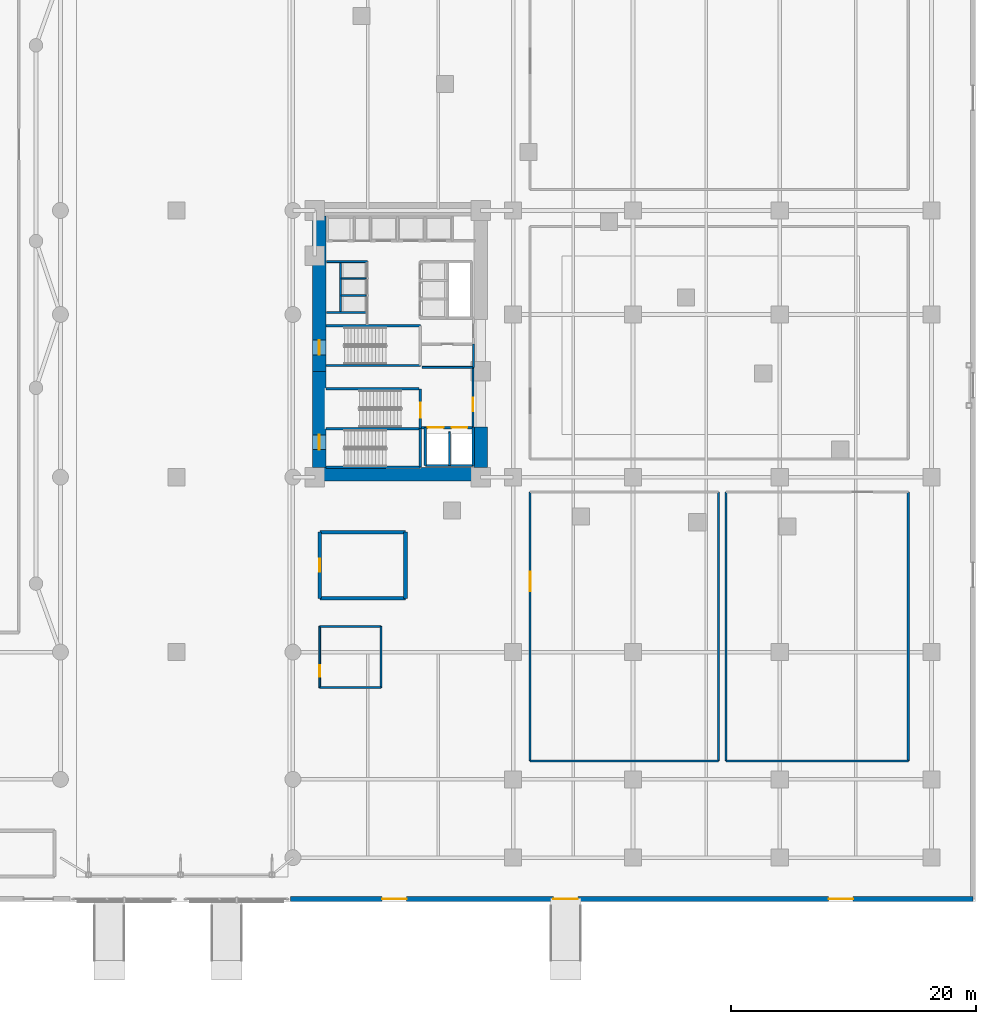
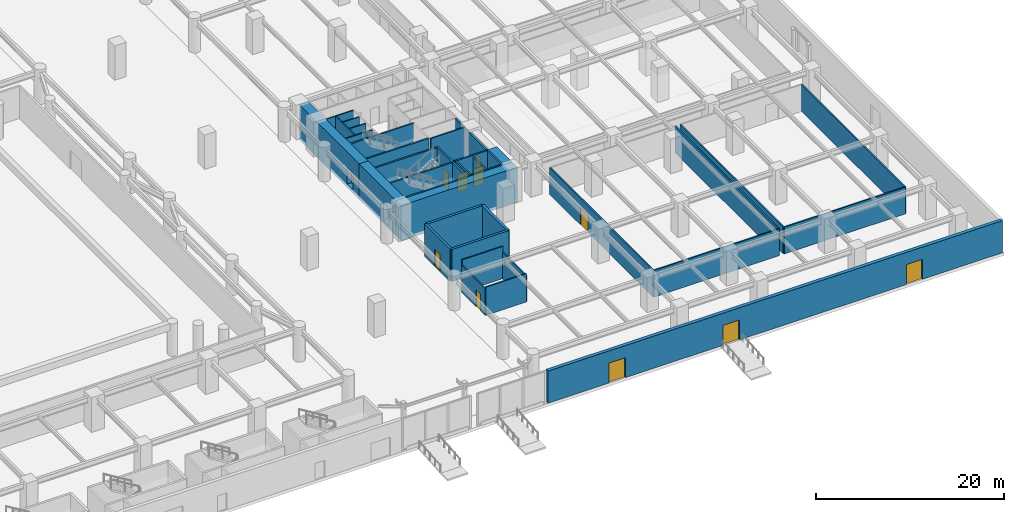
# One storey, part 22 of 42: 39 walls, 12 doors, 12 openings.
"""IFC4 building model written with IfcOpenShell, lengths in metres."""

from ifc_helpers import new_model, si_unit, direction, frame, frame_2d, origin, place, context, subcontext, project, spatial, rectangle, extrude, material, layer, layer_set, type_object, element, fill, save


model = new_model("IFC4")

# Units and contexts
model_context = context("Model", 3, precision=1e-05, world=origin(), true_north=direction((0.0, 1.0)))
body_context = subcontext(model_context, "Body", "Model", "MODEL_VIEW")
ifc_project = project(units=[si_unit("LENGTHUNIT", "METRE"), si_unit("AREAUNIT", "SQUARE_METRE"), si_unit("VOLUMEUNIT", "CUBIC_METRE"), si_unit("PLANEANGLEUNIT", "RADIAN"), si_unit("MASSUNIT", "GRAM", prefix="KILO")], contexts=[model_context])

# Site, building, storey
site_placement = place(None, origin())
site = spatial("IfcSite", under=ifc_project, at=site_placement, CompositionType="ELEMENT")
building_placement = place(site_placement, origin())
building = spatial("IfcBuilding", under=site, at=building_placement, Name="Narakoshi Arena Tower", CompositionType="ELEMENT")
storey_placement = place(building_placement, origin())
storey = spatial("IfcBuildingStorey", under=building, at=storey_placement, Name="L00", CompositionType="ELEMENT", Elevation=0.0)

# Wall, opening, door
ifc_material_1 = material(Name="Concrete C60/75", Category="concrete")
ifc_layer_1 = layer(ifc_material_1, 1.10009765625)
ifc_layer_set_1 = layer_set([ifc_layer_1], Name="Concrete C60/75")
wall_type_1 = type_object("IfcWallType", Name="WL-CORE-1100", PredefinedType="SHEAR", material=ifc_layer_set_1)
wall_1_placement = place(storey_placement, frame((72.35009765625, 35.5, -0.39990234375), z_axis=(0.0, 0.0, 1.0), x_axis=(0.0, 1.0, 0.0)))
wall_1 = element("IfcWall", 1, at=wall_1_placement, inside=storey, type_object=wall_type_1, Name="L00 Central Core Shear Wall CW-APX-W", PredefinedType="SHEAR", context=body_context, shape_type="SweptSolid", body=[
    extrude(rectangle(XDim=7.85009765625, YDim=1.10009765625, at=frame_2d((3.925048828125, 0.0))), origin(), (0.0, 0.0, 1.0), 4.579833984375),
])
opening_1_placement = place(wall_1_placement, frame((1.449951171875, 0.0, 0.39990234375)))
opening_1 = element("IfcOpeningElement", 2, at=opening_1_placement, cuts=wall_1, Name="Opening D-03", PredefinedType="OPENING", context=body_context, shape_type="SweptSolid", body=[
    extrude(rectangle(XDim=1.199951171875, YDim=2.199951171875, at=frame_2d((0.60009765625, 1.10009765625))), frame((0.0, 0.56005859375, 0.0), z_axis=(0.0, -1.0, 0.0), x_axis=(1.0, 0.0, 0.0)), (0.0, 0.0, 1.0), 1.1201171875),
])
ifc_material_2 = material(Name="Painted galvanized steel", Category="steel")
door_type_1 = type_object("IfcDoorType", Name="DR-STR-1200", OperationType="NOTDEFINED", PredefinedType="USERDEFINED", material=ifc_material_2)
door_1_placement = place(opening_1_placement, origin())
door_1 = element("IfcDoor", 3, at=door_1_placement, inside=storey, type_object=door_type_1, Name="DR-L00-028", ObjectType="EXITDOOR", OperationType="SINGLE_SWING_LEFT", OverallHeight=2.199951171875, OverallWidth=1.199951171875, PredefinedType="USERDEFINED", context=body_context, shape_type="SweptSolid", body=[
    extrude(rectangle(XDim=1.199951171875, YDim=2.199951171875, at=frame_2d((0.60009765625, 1.10009765625))), frame((0.0, 0.02490234375, 0.0), z_axis=(0.0, -1.0, 0.0), x_axis=(1.0, 0.0, 0.0)), (0.0, 0.0, 1.0), 0.050048828125),
])
fill(opening_1, door_1)

# Walls
wall_2_placement = place(storey_placement, frame((71.800048828125, 34.949951171875, -0.39990234375), z_axis=(0.0, 0.0, 1.0), x_axis=(1.0, 0.0, 0.0)))
element("IfcWall", 4, at=wall_2_placement, inside=storey, type_object=wall_type_1, Name="L00 Central Core Shear Wall CW-APX-S", PredefinedType="SHEAR", context=body_context, shape_type="SweptSolid", body=[
    extrude(rectangle(XDim=14.300048828125, YDim=1.10009765625, at=frame_2d((7.14990234375, 0.0))), origin(), (0.0, 0.0, 1.0), 4.579833984375),
])
wall_3_placement = place(storey_placement, frame((85.550048828125, 35.5, -0.39990234375), z_axis=(0.0, 0.0, 1.0), x_axis=(0.0, 1.0, 0.0)))
element("IfcWall", 5, at=wall_3_placement, inside=storey, type_object=wall_type_1, Name="L00 Central Core Shear Wall CW-APX-E", PredefinedType="SHEAR", context=body_context, shape_type="SweptSolid", body=[
    extrude(rectangle(XDim=3.300048828125, YDim=1.10009765625, at=frame_2d((1.64990234375, 0.0))), origin(), (0.0, 0.0, 1.0), 4.579833984375),
])

# Wall, opening, door
wall_4_placement = place(storey_placement, frame((72.35009765625, 43.35009765625, -0.39990234375), z_axis=(0.0, 0.0, 1.0), x_axis=(0.0, 1.0, 0.0)))
wall_4 = element("IfcWall", 6, at=wall_4_placement, inside=storey, type_object=wall_type_1, Name="L00 Main Core Shear Wall CW-MN-W", PredefinedType="SHEAR", context=body_context, shape_type="SweptSolid", body=[
    extrude(rectangle(XDim=12.699951171875, YDim=1.10009765625, at=frame_2d((6.35009765625, 0.0))), origin(), (0.0, 0.0, 1.0), 4.579833984375),
])
opening_2_placement = place(wall_4_placement, frame((1.35009765625, 0.0, 0.39990234375)))
opening_2 = element("IfcOpeningElement", 7, at=opening_2_placement, cuts=wall_4, Name="Opening D-03", PredefinedType="OPENING", context=body_context, shape_type="SweptSolid", body=[
    extrude(rectangle(XDim=1.199951171875, YDim=2.199951171875, at=frame_2d((0.60009765625, 1.10009765625))), frame((0.0, 0.56005859375, 0.0), z_axis=(0.0, -1.0, 0.0), x_axis=(1.0, 0.0, 0.0)), (0.0, 0.0, 1.0), 1.1201171875),
])
door_2_placement = place(opening_2_placement, origin())
door_2 = element("IfcDoor", 8, at=door_2_placement, inside=storey, type_object=door_type_1, Name="DR-L00-033", ObjectType="EXITDOOR", OperationType="SINGLE_SWING_LEFT", OverallHeight=2.199951171875, OverallWidth=1.199951171875, PredefinedType="USERDEFINED", context=body_context, shape_type="SweptSolid", body=[
    extrude(rectangle(XDim=1.199951171875, YDim=2.199951171875, at=frame_2d((0.60009765625, 1.10009765625))), frame((0.0, 0.02490234375, 0.0), z_axis=(0.0, -1.0, 0.0), x_axis=(1.0, 0.0, 0.0)), (0.0, 0.0, 1.0), 0.050048828125),
])
fill(opening_2, door_2)

# Walls
ifc_material_3 = material(Name="Gypsum plasterboard fire-rated partition")
ifc_layer_2 = layer(ifc_material_3, 0.1650390625)
ifc_layer_set_2 = layer_set([ifc_layer_2], Name="Gypsum plasterboard fire-rated partition")
wall_type_2 = type_object("IfcWallType", Name="WL-CORR-165", PredefinedType="PARTITIONING", material=ifc_layer_set_2)
wall_5_placement = place(storey_placement, frame((89.60009765625, 11.5, 0.0), z_axis=(0.0, 0.0, 1.0), x_axis=(1.0, 0.0, 0.0)))
element("IfcWall", 9, at=wall_5_placement, inside=storey, type_object=wall_type_2, Name="L00 Concourse Cafe and Bakery Wall S", PredefinedType="PARTITIONING", context=body_context, shape_type="SweptSolid", body=[
    extrude(rectangle(XDim=15.39990234375, YDim=0.1650390625, at=frame_2d((7.699951171875, 0.0))), origin(), (0.0, 0.0, 1.0), 3.465087890625),
])
wall_6_placement = place(storey_placement, frame((105.0, 11.5, 0.0), z_axis=(0.0, 0.0, 1.0), x_axis=(0.0, 1.0, 0.0)))
element("IfcWall", 10, at=wall_6_placement, inside=storey, type_object=wall_type_2, Name="L00 Concourse Cafe and Bakery Wall E", PredefinedType="PARTITIONING", context=body_context, shape_type="SweptSolid", body=[
    extrude(rectangle(XDim=22.0, YDim=0.1650390625, at=frame_2d((11.0, 0.0))), origin(), (0.0, 0.0, 1.0), 3.465087890625),
])

# Wall, opening, door
wall_7_placement = place(storey_placement, frame((89.60009765625, 33.5, 0.0), z_axis=(0.0, 0.0, 1.0), x_axis=(0.0, -1.0, 0.0)))
wall_7 = element("IfcWall", 11, at=wall_7_placement, inside=storey, type_object=wall_type_2, Name="L00 Concourse Cafe and Bakery Wall W", PredefinedType="PARTITIONING", context=body_context, shape_type="SweptSolid", body=[
    extrude(rectangle(XDim=22.0, YDim=0.1650390625, at=frame_2d((11.0, 0.0))), origin(), (0.0, 0.0, 1.0), 3.465087890625),
])
opening_3_placement = place(wall_7_placement, frame((6.528076171875, 0.0, 0.0)))
opening_3 = element("IfcOpeningElement", 12, at=opening_3_placement, cuts=wall_7, Name="Opening D-05", PredefinedType="OPENING", context=body_context, shape_type="SweptSolid", body=[
    extrude(rectangle(XDim=1.60009765625, YDim=2.300048828125, at=frame_2d((0.800048828125, 1.14990234375))), frame((0.0, 0.092529296875, 0.0), z_axis=(0.0, -1.0, 0.0), x_axis=(1.0, 0.0, 0.0)), (0.0, 0.0, 1.0), 0.18505859375),
])
ifc_material_4 = material(Name="Stained oak solid-core timber", Category="wood")
door_type_2 = type_object("IfcDoorType", Name="DR-STE-1600", OperationType="DOUBLE_DOOR_SINGLE_SWING", PredefinedType="DOOR", material=ifc_material_4)
door_3_placement = place(opening_3_placement, frame((1.60009765625, 0.0, 0.0), z_axis=(0.0, 0.0, 1.0), x_axis=(-1.0, 0.0, 0.0)))
door_3 = element("IfcDoor", 13, at=door_3_placement, inside=storey, type_object=door_type_2, Name="DR-L00-060", OperationType="DOUBLE_DOOR_SINGLE_SWING", OverallHeight=2.300048828125, OverallWidth=1.60009765625, PredefinedType="DOOR", context=body_context, shape_type="SweptSolid", body=[
    extrude(rectangle(XDim=1.60009765625, YDim=2.300048828125, at=frame_2d((0.800048828125, 1.14990234375))), frame((0.0, 0.02490234375, 0.0), z_axis=(0.0, -1.0, 0.0), x_axis=(1.0, 0.0, 0.0)), (0.0, 0.0, 1.0), 0.050048828125),
])
fill(opening_3, door_3)

# Walls
wall_8_placement = place(storey_placement, frame((105.60009765625, 11.5, 0.0), z_axis=(0.0, 0.0, 1.0), x_axis=(1.0, 0.0, 0.0)))
element("IfcWall", 14, at=wall_8_placement, inside=storey, type_object=wall_type_2, Name="L00 Podium Merchandise Retail Shop Wall S", PredefinedType="PARTITIONING", context=body_context, shape_type="SweptSolid", body=[
    extrude(rectangle(XDim=14.89990234375, YDim=0.1650390625, at=frame_2d((7.449951171875, 0.0))), origin(), (0.0, 0.0, 1.0), 3.465087890625),
])
for number, where, z_axis, x_axis, name in (
    (15, (120.5, 11.5, 0.0), (0.0, 0.0, 1.0), (0.0, 1.0, 0.0), "L00 Podium Merchandise Retail Shop Wall E"),
    (16, (105.60009765625, 33.5, 0.0), (0.0, 0.0, 1.0), (0.0, -1.0, 0.0), "L00 Podium Merchandise Retail Shop Wall W"),
):
    element("IfcWall", number, at=place(storey_placement, frame(where, z_axis=z_axis, x_axis=x_axis)), inside=storey, type_object=wall_type_2, Name=name, PredefinedType="PARTITIONING", context=body_context, shape_type="SweptSolid", body=[
        extrude(rectangle(XDim=22.0, YDim=0.1650390625, at=frame_2d((11.0, 0.0))), origin(), (0.0, 0.0, 1.0), 3.465087890625),
    ])

# Wall, openings, doors
ifc_material_5 = material(Name="Precast concrete C45/55", Category="concrete")
ifc_layer_3 = layer(ifc_material_5, 0.419921875)
ifc_layer_set_3 = layer_set([ifc_layer_3], Name="Precast concrete C45/55")
wall_type_3 = type_object("IfcWallType", Name="WL-POD-420", PredefinedType="SOLIDWALL", material=ifc_layer_set_3)
wall_9_placement = place(storey_placement, frame((70.0, 0.2099609375, 0.0), z_axis=(0.0, 0.0, 1.0), x_axis=(1.0, 0.0, 0.0)))
wall_9 = element("IfcWall", 17, at=wall_9_placement, inside=storey, type_object=wall_type_3, Name="L00 Podium Precast Facade Wall SE", PredefinedType="SOLIDWALL", context=body_context, shape_type="SweptSolid", body=[
    extrude(rectangle(XDim=55.7900390625, YDim=0.419921875, at=frame_2d((27.89501953125, 0.0))), origin(), (0.0, 0.0, 1.0), 4.179931640625),
])
opening_4_placement = place(wall_9_placement, frame((7.5, 0.0, 0.0)))
opening_4 = element("IfcOpeningElement", 18, at=opening_4_placement, cuts=wall_9, Name="Opening D-01", PredefinedType="OPENING", context=body_context, shape_type="SweptSolid", body=[
    extrude(rectangle(XDim=2.0, YDim=2.60009765625, at=frame_2d((1.0, 1.300048828125))), frame((0.0, 0.219970703125, 0.0), z_axis=(0.0, -1.0, 0.0), x_axis=(1.0, 0.0, 0.0)), (0.0, 0.0, 1.0), 0.43994140625),
])
opening_5_placement = place(wall_9_placement, frame((21.5, 0.0, 0.0)))
opening_5 = element("IfcOpeningElement", 19, at=opening_5_placement, cuts=wall_9, Name="Opening D-01", PredefinedType="OPENING", context=body_context, shape_type="SweptSolid", body=[
    extrude(rectangle(XDim=2.0, YDim=2.60009765625, at=frame_2d((1.0, 1.300048828125))), frame((0.0, 0.219970703125, 0.0), z_axis=(0.0, -1.0, 0.0), x_axis=(1.0, 0.0, 0.0)), (0.0, 0.0, 1.0), 0.43994140625),
])
opening_6_placement = place(wall_9_placement, frame((44.0, 0.0, 0.0)))
opening_6 = element("IfcOpeningElement", 20, at=opening_6_placement, cuts=wall_9, Name="Opening D-01", PredefinedType="OPENING", context=body_context, shape_type="SweptSolid", body=[
    extrude(rectangle(XDim=2.0, YDim=2.60009765625, at=frame_2d((1.0, 1.300048828125))), frame((0.0, 0.219970703125, 0.0), z_axis=(0.0, -1.0, 0.0), x_axis=(1.0, 0.0, 0.0)), (0.0, 0.0, 1.0), 0.43994140625),
])
ifc_material_6 = material(Name="Anodised bronze aluminium 6063-T6", Category="aluminium")
door_type_3 = type_object("IfcDoorType", Name="DR-ENT-2000", OperationType="DOUBLE_DOOR_SINGLE_SWING", PredefinedType="DOOR", material=ifc_material_6)
door_4_placement = place(opening_4_placement, frame((2.0, 0.0, 0.0), z_axis=(0.0, 0.0, 1.0), x_axis=(-1.0, 0.0, 0.0)))
door_4 = element("IfcDoor", 21, at=door_4_placement, inside=storey, type_object=door_type_3, Name="DR-L00-017", OperationType="DOUBLE_DOOR_SINGLE_SWING", OverallHeight=2.60009765625, OverallWidth=2.0, PredefinedType="DOOR", context=body_context, shape_type="SweptSolid", body=[
    extrude(rectangle(XDim=2.0, YDim=2.60009765625, at=frame_2d((1.0, 1.300048828125))), frame((0.0, 0.02490234375, 0.0), z_axis=(0.0, -1.0, 0.0), x_axis=(1.0, 0.0, 0.0)), (0.0, 0.0, 1.0), 0.050048828125),
])
fill(opening_4, door_4)
door_5_placement = place(opening_5_placement, frame((2.0, 0.0, 0.0), z_axis=(0.0, 0.0, 1.0), x_axis=(-1.0, 0.0, 0.0)))
door_5 = element("IfcDoor", 22, at=door_5_placement, inside=storey, type_object=door_type_3, Name="DR-L00-018", OperationType="DOUBLE_DOOR_SINGLE_SWING", OverallHeight=2.60009765625, OverallWidth=2.0, PredefinedType="DOOR", context=body_context, shape_type="SweptSolid", body=[
    extrude(rectangle(XDim=2.0, YDim=2.60009765625, at=frame_2d((1.0, 1.300048828125))), frame((0.0, 0.02490234375, 0.0), z_axis=(0.0, -1.0, 0.0), x_axis=(1.0, 0.0, 0.0)), (0.0, 0.0, 1.0), 0.050048828125),
])
fill(opening_5, door_5)
door_6_placement = place(opening_6_placement, frame((2.0, 0.0, 0.0), z_axis=(0.0, 0.0, 1.0), x_axis=(-1.0, 0.0, 0.0)))
door_6 = element("IfcDoor", 23, at=door_6_placement, inside=storey, type_object=door_type_3, Name="DR-L00-019", OperationType="DOUBLE_DOOR_SINGLE_SWING", OverallHeight=2.60009765625, OverallWidth=2.0, PredefinedType="DOOR", context=body_context, shape_type="SweptSolid", body=[
    extrude(rectangle(XDim=2.0, YDim=2.60009765625, at=frame_2d((1.0, 1.300048828125))), frame((0.0, 0.02490234375, 0.0), z_axis=(0.0, -1.0, 0.0), x_axis=(1.0, 0.0, 0.0)), (0.0, 0.0, 1.0), 0.050048828125),
])
fill(opening_6, door_6)

# Walls
ifc_material_7 = material(Name="Concrete C40/50", Category="concrete")
ifc_layer_4 = layer(ifc_material_7, 0.280029296875)
ifc_layer_set_4 = layer_set([ifc_layer_4], Name="Concrete C40/50")
wall_type_4 = type_object("IfcWallType", Name="WL-RISER-280", PredefinedType="PLUMBINGWALL", material=ifc_layer_set_4)
wall_10_placement = place(storey_placement, frame((83.0, 35.64990234375, 0.0), z_axis=(0.0, 0.0, 1.0), x_axis=(0.0, 1.0, 0.0)))
element("IfcWall", 24, at=wall_10_placement, inside=storey, type_object=wall_type_4, Name="L00 Core Wall FF-DIV", PredefinedType="PLUMBINGWALL", context=body_context, shape_type="SweptSolid", body=[
    extrude(rectangle(XDim=2.75, YDim=0.159912109375, at=frame_2d((1.375, 0.0))), origin(), (0.0, 0.0, 1.0), 4.179931640625),
])
wall_11_placement = place(storey_placement, frame((84.949951171875, 43.679931640625, 0.0), z_axis=(0.0, 0.0, 1.0), x_axis=(0.0, 1.0, 0.0)))
element("IfcWall", 25, at=wall_11_placement, inside=storey, type_object=wall_type_4, Name="L00 Core Wall RSR-E", PredefinedType="PLUMBINGWALL", context=body_context, shape_type="SweptSolid", body=[
    extrude(rectangle(XDim=1.900146484375, YDim=0.1650390625, at=frame_2d((0.9501953125, 0.0))), origin(), (0.0, 0.0, 1.0), 4.179931640625),
])
wall_12_placement = place(storey_placement, frame((80.760009765625, 43.679931640625, 0.0), z_axis=(0.0, 0.0, 1.0), x_axis=(1.0, 0.0, 0.0)))
element("IfcWall", 26, at=wall_12_placement, inside=storey, type_object=wall_type_4, Name="L00 Core Wall RSR-S", PredefinedType="PLUMBINGWALL", context=body_context, shape_type="SweptSolid", body=[
    extrude(rectangle(XDim=4.18994140625, YDim=0.159912109375, at=frame_2d((2.094970703125, 0.0))), origin(), (0.0, 0.0, 1.0), 4.179931640625),
])
wall_13_placement = place(storey_placement, frame((72.949951171875, 48.159912109375, 0.0), z_axis=(0.0, 0.0, 1.0), x_axis=(1.0, 0.0, 0.0)))
element("IfcWall", 27, at=wall_13_placement, inside=storey, type_object=wall_type_4, Name="L00 Core Wall LR-S0", PredefinedType="PLUMBINGWALL", context=body_context, shape_type="SweptSolid", body=[
    extrude(rectangle(XDim=3.239990234375, YDim=0.139892578125, at=frame_2d((1.6201171875, 0.0))), origin(), (0.0, 0.0, 1.0), 4.179931640625),
])
for number, where, z_axis, x_axis, name in (
    (28, (74.14990234375, 49.550048828125, 0.0), (0.0, 0.0, 1.0), (1.0, 0.0, 0.0), "L00 Core Wall LR-D1"),
    (29, (74.14990234375, 50.949951171875, 0.0), (0.0, 0.0, 1.0), (1.0, 0.0, 0.0), "L00 Core Wall LR-D2"),
):
    element("IfcWall", number, at=place(storey_placement, frame(where, z_axis=z_axis, x_axis=x_axis)), inside=storey, type_object=wall_type_4, Name=name, PredefinedType="PLUMBINGWALL", context=body_context, shape_type="SweptSolid", body=[
        extrude(rectangle(XDim=2.0400390625, YDim=0.139892578125, at=frame_2d((1.02001953125, 0.0))), origin(), (0.0, 0.0, 1.0), 4.179931640625),
    ])
wall_14_placement = place(storey_placement, frame((74.10009765625, 48.159912109375, 0.0), z_axis=(0.0, 0.0, 1.0), x_axis=(0.0, 1.0, 0.0)))
element("IfcWall", 30, at=wall_14_placement, inside=storey, type_object=wall_type_4, Name="L00 Core Wall LR-W", PredefinedType="PLUMBINGWALL", context=body_context, shape_type="SweptSolid", body=[
    extrude(rectangle(XDim=4.16015625, YDim=0.139892578125, at=frame_2d((2.080078125, 0.0))), origin(), (0.0, 0.0, 1.0), 4.179931640625),
])
ifc_material_8 = material(Name="Concrete C50/60", Category="concrete")
ifc_layer_5 = layer(ifc_material_8, 0.35009765625)
ifc_layer_set_5 = layer_set([ifc_layer_5], Name="Concrete C50/60")
wall_type_5 = type_object("IfcWallType", Name="WL-SHAFT-350", PredefinedType="SOLIDWALL", material=ifc_layer_set_5)
for number, where, z_axis, x_axis, name in (
    (31, (72.919921875, 35.52001953125, -0.39990234375), (0.0, 0.0, 1.0), (1.0, 0.0, 0.0), "L00 Core Wall ST1-S"),
    (32, (72.919921875, 38.675048828125, -0.39990234375), (0.0, 0.0, 1.0), (1.0, 0.0, 0.0), "L00 Core Wall ST12-DIV"),
):
    element("IfcWall", number, at=place(storey_placement, frame(where, z_axis=z_axis, x_axis=x_axis)), inside=storey, type_object=wall_type_5, Name=name, PredefinedType="SOLIDWALL", context=body_context, shape_type="SweptSolid", body=[
        extrude(rectangle(XDim=7.7001953125, YDim=0.199951171875, at=frame_2d((3.85009765625, 0.0))), origin(), (0.0, 0.0, 1.0), 4.579833984375),
    ])
wall_15_placement = place(storey_placement, frame((80.6201171875, 35.52001953125, -0.39990234375), z_axis=(0.0, 0.0, 1.0), x_axis=(0.0, 1.0, 0.0)))
element("IfcWall", 33, at=wall_15_placement, inside=storey, type_object=wall_type_5, Name="L00 Core Wall ST1-E", PredefinedType="SOLIDWALL", context=body_context, shape_type="SweptSolid", body=[
    extrude(rectangle(XDim=3.155029296875, YDim=0.199951171875, at=frame_2d((1.57763671875, 0.0))), origin(), (0.0, 0.0, 1.0), 4.579833984375),
])

# Wall, opening, door
wall_16_placement = place(storey_placement, frame((80.6201171875, 38.675048828125, -0.39990234375), z_axis=(0.0, 0.0, 1.0), x_axis=(0.0, 1.0, 0.0)))
wall_16 = element("IfcWall", 34, at=wall_16_placement, inside=storey, type_object=wall_type_5, Name="L00 Core Wall ST2-E", PredefinedType="SOLIDWALL", context=body_context, shape_type="SweptSolid", body=[
    extrude(rectangle(XDim=3.244873046875, YDim=0.199951171875, at=frame_2d((1.62255859375, 0.0))), origin(), (0.0, 0.0, 1.0), 4.579833984375),
])
opening_7_placement = place(wall_16_placement, frame((0.89990234375, 0.0, 0.39990234375)))
opening_7 = element("IfcOpeningElement", 35, at=opening_7_placement, cuts=wall_16, Name="Opening D-03", PredefinedType="OPENING", context=body_context, shape_type="SweptSolid", body=[
    extrude(rectangle(XDim=1.199951171875, YDim=2.199951171875, at=frame_2d((0.60009765625, 1.10009765625))), frame((0.0, 0.10986328125, 0.0), z_axis=(0.0, -1.0, 0.0), x_axis=(1.0, 0.0, 0.0)), (0.0, 0.0, 1.0), 0.219970703125),
])
door_7_placement = place(opening_7_placement, frame((1.199951171875, 0.0, 0.0), z_axis=(0.0, 0.0, 1.0), x_axis=(-1.0, 0.0, 0.0)))
door_7 = element("IfcDoor", 36, at=door_7_placement, inside=storey, type_object=door_type_1, Name="DR-L00-029", ObjectType="EXITDOOR", OperationType="SINGLE_SWING_RIGHT", OverallHeight=2.199951171875, OverallWidth=1.199951171875, PredefinedType="USERDEFINED", context=body_context, shape_type="SweptSolid", body=[
    extrude(rectangle(XDim=1.199951171875, YDim=2.199951171875, at=frame_2d((0.60009765625, 1.10009765625))), frame((0.0, 0.02490234375, 0.0), z_axis=(0.0, -1.0, 0.0), x_axis=(1.0, 0.0, 0.0)), (0.0, 0.0, 1.0), 0.050048828125),
])
fill(opening_7, door_7)

# Wall, openings, doors
wall_17_placement = place(storey_placement, frame((80.719970703125, 38.75, 0.0), z_axis=(0.0, 0.0, 1.0), x_axis=(1.0, 0.0, 0.0)))
wall_17 = element("IfcWall", 37, at=wall_17_placement, inside=storey, type_object=wall_type_5, Name="L00 Core Wall FF-N", PredefinedType="SOLIDWALL", context=body_context, shape_type="SweptSolid", body=[
    extrude(rectangle(XDim=4.260009765625, YDim=0.199951171875, at=frame_2d((2.1298828125, 0.0))), origin(), (0.0, 0.0, 1.0), 4.179931640625),
])
opening_8_placement = place(wall_17_placement, frame((0.5, 0.0, 0.0)))
opening_8 = element("IfcOpeningElement", 38, at=opening_8_placement, cuts=wall_17, Name="Opening LD-02", PredefinedType="OPENING", context=body_context, shape_type="SweptSolid", body=[
    extrude(rectangle(XDim=1.300048828125, YDim=2.300048828125, at=frame_2d((0.64990234375, 1.14990234375))), frame((0.0, 0.10986328125, 0.0), z_axis=(0.0, -1.0, 0.0), x_axis=(1.0, 0.0, 0.0)), (0.0, 0.0, 1.0), 0.219970703125),
])
opening_9_placement = place(wall_17_placement, frame((2.449951171875, 0.0, 0.0)))
opening_9 = element("IfcOpeningElement", 39, at=opening_9_placement, cuts=wall_17, Name="Opening LD-02", PredefinedType="OPENING", context=body_context, shape_type="SweptSolid", body=[
    extrude(rectangle(XDim=1.300048828125, YDim=2.300048828125, at=frame_2d((0.64990234375, 1.14990234375))), frame((0.0, 0.10986328125, 0.0), z_axis=(0.0, -1.0, 0.0), x_axis=(1.0, 0.0, 0.0)), (0.0, 0.0, 1.0), 0.219970703125),
])
ifc_material_9 = material(Name="Brushed bronze stainless steel", Category="steel")
door_type_4 = type_object("IfcDoorType", Name="DR-LFT-1300", OperationType="DOUBLE_DOOR_SLIDING", PredefinedType="DOOR", material=ifc_material_9)
door_8_placement = place(opening_8_placement, origin())
door_8 = element("IfcDoor", 40, at=door_8_placement, inside=storey, type_object=door_type_4, Name="DR-L00-030", OperationType="DOUBLE_DOOR_SLIDING", OverallHeight=2.300048828125, OverallWidth=1.300048828125, PredefinedType="DOOR", context=body_context, shape_type="SweptSolid", body=[
    extrude(rectangle(XDim=1.300048828125, YDim=2.300048828125, at=frame_2d((0.64990234375, 1.14990234375))), frame((0.0, 0.02490234375, 0.0), z_axis=(0.0, -1.0, 0.0), x_axis=(1.0, 0.0, 0.0)), (0.0, 0.0, 1.0), 0.050048828125),
])
fill(opening_8, door_8)
door_9_placement = place(opening_9_placement, origin())
door_9 = element("IfcDoor", 41, at=door_9_placement, inside=storey, type_object=door_type_4, Name="DR-L00-031", OperationType="DOUBLE_DOOR_SLIDING", OverallHeight=2.300048828125, OverallWidth=1.300048828125, PredefinedType="DOOR", context=body_context, shape_type="SweptSolid", body=[
    extrude(rectangle(XDim=1.300048828125, YDim=2.300048828125, at=frame_2d((0.64990234375, 1.14990234375))), frame((0.0, 0.02490234375, 0.0), z_axis=(0.0, -1.0, 0.0), x_axis=(1.0, 0.0, 0.0)), (0.0, 0.0, 1.0), 0.050048828125),
])
fill(opening_9, door_9)

# Walls
for number, where, z_axis, x_axis, name in (
    (42, (84.949951171875, 35.64990234375, 0.0), (0.0, 0.0, 1.0), (0.0, 1.0, 0.0), "L00 Core Wall FF-E"),
    (43, (81.02001953125, 35.64990234375, 0.0), (0.0, 0.0, 1.0), (0.0, 1.0, 0.0), "L00 Core Wall FF-W"),
):
    element("IfcWall", number, at=place(storey_placement, frame(where, z_axis=z_axis, x_axis=x_axis)), inside=storey, type_object=wall_type_5, Name=name, PredefinedType="SOLIDWALL", context=body_context, shape_type="SweptSolid", body=[
        extrude(rectangle(XDim=3.10009765625, YDim=0.179931640625, at=frame_2d((1.550048828125, 0.0))), origin(), (0.0, 0.0, 1.0), 4.179931640625),
    ])
wall_18_placement = place(storey_placement, frame((81.02001953125, 35.64990234375, 0.0), z_axis=(0.0, 0.0, 1.0), x_axis=(1.0, 0.0, 0.0)))
element("IfcWall", 44, at=wall_18_placement, inside=storey, type_object=wall_type_5, Name="L00 Core Wall FF-S", PredefinedType="SOLIDWALL", context=body_context, shape_type="SweptSolid", body=[
    extrude(rectangle(XDim=3.929931640625, YDim=0.179931640625, at=frame_2d((1.96484375, 0.0))), origin(), (0.0, 0.0, 1.0), 4.179931640625),
])

# Wall, opening, door
wall_19_placement = place(storey_placement, frame((84.919921875, 38.85009765625, 0.0), z_axis=(0.0, 0.0, 1.0), x_axis=(0.0, 1.0, 0.0)))
wall_19 = element("IfcWall", 45, at=wall_19_placement, inside=storey, type_object=wall_type_5, Name="L00 Core Wall FFLOB-E", PredefinedType="SOLIDWALL", context=body_context, shape_type="SweptSolid", body=[
    extrude(rectangle(XDim=4.829833984375, YDim=0.199951171875, at=frame_2d((2.4150390625, 0.0))), origin(), (0.0, 0.0, 1.0), 4.179931640625),
])
opening_10_placement = place(wall_19_placement, frame((1.25, 0.0, 0.0)))
opening_10 = element("IfcOpeningElement", 46, at=opening_10_placement, cuts=wall_19, Name="Opening D-04", PredefinedType="OPENING", context=body_context, shape_type="SweptSolid", body=[
    extrude(rectangle(XDim=1.10009765625, YDim=2.199951171875, at=frame_2d((0.550048828125, 1.10009765625))), frame((0.0, 0.10986328125, 0.0), z_axis=(0.0, -1.0, 0.0), x_axis=(1.0, 0.0, 0.0)), (0.0, 0.0, 1.0), 0.219970703125),
])
door_type_5 = type_object("IfcDoorType", Name="DR-FFL-1100", OperationType="NOTDEFINED", PredefinedType="DOOR", material=ifc_material_2)
door_10_placement = place(opening_10_placement, frame((1.10009765625, 0.0, 0.0), z_axis=(0.0, 0.0, 1.0), x_axis=(-1.0, 0.0, 0.0)))
door_10 = element("IfcDoor", 47, at=door_10_placement, inside=storey, type_object=door_type_5, Name="DR-L00-032", OperationType="SINGLE_SWING_RIGHT", OverallHeight=2.199951171875, OverallWidth=1.10009765625, PredefinedType="DOOR", context=body_context, shape_type="SweptSolid", body=[
    extrude(rectangle(XDim=1.10009765625, YDim=2.199951171875, at=frame_2d((0.550048828125, 1.10009765625))), frame((0.0, 0.02490234375, 0.0), z_axis=(0.0, -1.0, 0.0), x_axis=(1.0, 0.0, 0.0)), (0.0, 0.0, 1.0), 0.050048828125),
])
fill(opening_10, door_10)

# Walls
wall_20_placement = place(storey_placement, frame((72.919921875, 41.919921875, -0.39990234375), z_axis=(0.0, 0.0, 1.0), x_axis=(1.0, 0.0, 0.0)))
element("IfcWall", 48, at=wall_20_placement, inside=storey, type_object=wall_type_5, Name="L00 Core Wall ST2-N", PredefinedType="SOLIDWALL", context=body_context, shape_type="SweptSolid", body=[
    extrude(rectangle(XDim=7.580078125, YDim=0.199951171875, at=frame_2d((3.7900390625, 0.0))), origin(), (0.0, 0.0, 1.0), 4.579833984375),
])
for number, where, z_axis, x_axis, name in (
    (49, (72.919921875, 43.830078125, -0.39990234375), (0.0, 0.0, 1.0), (1.0, 0.0, 0.0), "L00 Core Wall ST3-S"),
    (50, (72.919921875, 47.070068359375, -0.39990234375), (0.0, 0.0, 1.0), (1.0, 0.0, 0.0), "L00 Core Wall ST3-N"),
):
    element("IfcWall", number, at=place(storey_placement, frame(where, z_axis=z_axis, x_axis=x_axis)), inside=storey, type_object=wall_type_5, Name=name, PredefinedType="SOLIDWALL", context=body_context, shape_type="SweptSolid", body=[
        extrude(rectangle(XDim=7.7001953125, YDim=0.199951171875, at=frame_2d((3.85009765625, 0.0))), origin(), (0.0, 0.0, 1.0), 4.579833984375),
    ])
wall_21_placement = place(storey_placement, frame((72.949951171875, 52.320068359375, 0.0), z_axis=(0.0, 0.0, 1.0), x_axis=(1.0, 0.0, 0.0)))
element("IfcWall", 51, at=wall_21_placement, inside=storey, type_object=wall_type_5, Name="L00 Core Wall LR-N", PredefinedType="SOLIDWALL", context=body_context, shape_type="SweptSolid", body=[
    extrude(rectangle(XDim=3.330078125, YDim=0.14990234375, at=frame_2d((1.6650390625, 0.0))), origin(), (0.0, 0.0, 1.0), 4.179931640625),
])
wall_22_placement = place(storey_placement, frame((72.39990234375, 24.800048828125, 0.0), z_axis=(0.0, 0.0, 1.0), x_axis=(1.0, 0.0, 0.0)))
element("IfcWall", 52, at=wall_22_placement, inside=storey, type_object=wall_type_5, Name="L00 Fire Command Centre Wall S", PredefinedType="SOLIDWALL", context=body_context, shape_type="SweptSolid", body=[
    extrude(rectangle(XDim=7.0, YDim=0.300048828125, at=frame_2d((3.5, 0.0))), origin(), (0.0, 0.0, 1.0), 4.179931640625),
])
wall_23_placement = place(storey_placement, frame((79.39990234375, 24.800048828125, 0.0), z_axis=(0.0, 0.0, 1.0), x_axis=(0.0, 1.0, 0.0)))
element("IfcWall", 53, at=wall_23_placement, inside=storey, type_object=wall_type_5, Name="L00 Fire Command Centre Wall E", PredefinedType="SOLIDWALL", context=body_context, shape_type="SweptSolid", body=[
    extrude(rectangle(XDim=5.39990234375, YDim=0.300048828125, at=frame_2d((2.699951171875, 0.0))), origin(), (0.0, 0.0, 1.0), 4.179931640625),
])
wall_24_placement = place(storey_placement, frame((79.39990234375, 30.199951171875, 0.0), z_axis=(0.0, 0.0, 1.0), x_axis=(-1.0, 0.0, 0.0)))
element("IfcWall", 54, at=wall_24_placement, inside=storey, type_object=wall_type_5, Name="L00 Fire Command Centre Wall N", PredefinedType="SOLIDWALL", context=body_context, shape_type="SweptSolid", body=[
    extrude(rectangle(XDim=7.0, YDim=0.300048828125, at=frame_2d((3.5, 0.0))), origin(), (0.0, 0.0, 1.0), 4.179931640625),
])

# Wall, opening, door
wall_25_placement = place(storey_placement, frame((72.39990234375, 30.199951171875, 0.0), z_axis=(0.0, 0.0, 1.0), x_axis=(0.0, -1.0, 0.0)))
wall_25 = element("IfcWall", 55, at=wall_25_placement, inside=storey, type_object=wall_type_5, Name="L00 Fire Command Centre Wall W", PredefinedType="SOLIDWALL", context=body_context, shape_type="SweptSolid", body=[
    extrude(rectangle(XDim=5.39990234375, YDim=0.300048828125, at=frame_2d((2.699951171875, 0.0))), origin(), (0.0, 0.0, 1.0), 4.179931640625),
])
opening_11_placement = place(wall_25_placement, frame((2.14990234375, 0.0, 0.0)))
opening_11 = element("IfcOpeningElement", 56, at=opening_11_placement, cuts=wall_25, Name="Opening D-04", PredefinedType="OPENING", context=body_context, shape_type="SweptSolid", body=[
    extrude(rectangle(XDim=1.10009765625, YDim=2.199951171875, at=frame_2d((0.550048828125, 1.10009765625))), frame((0.0, 0.159912109375, 0.0), z_axis=(0.0, -1.0, 0.0), x_axis=(1.0, 0.0, 0.0)), (0.0, 0.0, 1.0), 0.320068359375),
])
door_11_placement = place(opening_11_placement, frame((1.10009765625, 0.0, 0.0), z_axis=(0.0, 0.0, 1.0), x_axis=(-1.0, 0.0, 0.0)))
door_11 = element("IfcDoor", 57, at=door_11_placement, inside=storey, type_object=door_type_5, Name="DR-L00-059", OperationType="SINGLE_SWING_LEFT", OverallHeight=2.199951171875, OverallWidth=1.10009765625, PredefinedType="DOOR", context=body_context, shape_type="SweptSolid", body=[
    extrude(rectangle(XDim=1.10009765625, YDim=2.199951171875, at=frame_2d((0.550048828125, 1.10009765625))), frame((0.0, 0.02490234375, 0.0), z_axis=(0.0, -1.0, 0.0), x_axis=(1.0, 0.0, 0.0)), (0.0, 0.0, 1.0), 0.050048828125),
])
fill(opening_11, door_11)

# Walls
ifc_material_10 = material(Name="Moisture-resistant cement-board partition")
ifc_layer_6 = layer(ifc_material_10, 0.14501953125)
ifc_layer_set_6 = layer_set([ifc_layer_6], Name="Moisture-resistant cement-board partition")
wall_type_6 = type_object("IfcWallType", Name="WL-WET-145", PredefinedType="PARTITIONING", material=ifc_layer_set_6)
wall_26_placement = place(storey_placement, frame((72.39990234375, 17.5, 0.0), z_axis=(0.0, 0.0, 1.0), x_axis=(1.0, 0.0, 0.0)))
element("IfcWall", 58, at=wall_26_placement, inside=storey, type_object=wall_type_6, Name="L00 Public Accessible Restroom WC Wall S", PredefinedType="PARTITIONING", context=body_context, shape_type="SweptSolid", body=[
    extrude(rectangle(XDim=5.0, YDim=0.14501953125, at=frame_2d((2.5, 0.0))), origin(), (0.0, 0.0, 1.0), 3.6650390625),
])
wall_27_placement = place(storey_placement, frame((77.39990234375, 17.5, 0.0), z_axis=(0.0, 0.0, 1.0), x_axis=(0.0, 1.0, 0.0)))
element("IfcWall", 59, at=wall_27_placement, inside=storey, type_object=wall_type_6, Name="L00 Public Accessible Restroom WC Wall E", PredefinedType="PARTITIONING", context=body_context, shape_type="SweptSolid", body=[
    extrude(rectangle(XDim=5.0, YDim=0.14501953125, at=frame_2d((2.5, 0.0))), origin(), (0.0, 0.0, 1.0), 3.465087890625),
])
wall_28_placement = place(storey_placement, frame((77.39990234375, 22.5, 0.0), z_axis=(0.0, 0.0, 1.0), x_axis=(-1.0, 0.0, 0.0)))
element("IfcWall", 60, at=wall_28_placement, inside=storey, type_object=wall_type_6, Name="L00 Public Accessible Restroom WC Wall N", PredefinedType="PARTITIONING", context=body_context, shape_type="SweptSolid", body=[
    extrude(rectangle(XDim=5.0, YDim=0.14501953125, at=frame_2d((2.5, 0.0))), origin(), (0.0, 0.0, 1.0), 4.179931640625),
])

# Wall, opening, door
wall_29_placement = place(storey_placement, frame((72.39990234375, 22.5, 0.0), z_axis=(0.0, 0.0, 1.0), x_axis=(0.0, -1.0, 0.0)))
wall_29 = element("IfcWall", 61, at=wall_29_placement, inside=storey, type_object=wall_type_6, Name="L00 Public Accessible Restroom WC Wall W", PredefinedType="PARTITIONING", context=body_context, shape_type="SweptSolid", body=[
    extrude(rectangle(XDim=5.0, YDim=0.14501953125, at=frame_2d((2.5, 0.0))), origin(), (0.0, 0.0, 1.0), 3.465087890625),
])
opening_12_placement = place(wall_29_placement, frame((3.158935546875, 0.0, 0.0)))
opening_12 = element("IfcOpeningElement", 62, at=opening_12_placement, cuts=wall_29, Name="Opening D-07", PredefinedType="OPENING", context=body_context, shape_type="SweptSolid", body=[
    extrude(rectangle(XDim=0.949951171875, YDim=2.14990234375, at=frame_2d((0.47509765625, 1.074951171875))), frame((0.0, 0.08251953125, 0.0), z_axis=(0.0, -1.0, 0.0), x_axis=(1.0, 0.0, 0.0)), (0.0, 0.0, 1.0), 0.1650390625),
])
door_type_6 = type_object("IfcDoorType", Name="DR-ACC-950", OperationType="NOTDEFINED", PredefinedType="DOOR", material=ifc_material_4)
door_12_placement = place(opening_12_placement, frame((0.949951171875, 0.0, 0.0), z_axis=(0.0, 0.0, 1.0), x_axis=(-1.0, 0.0, 0.0)))
door_12 = element("IfcDoor", 63, at=door_12_placement, inside=storey, type_object=door_type_6, Name="DR-L00-064", OperationType="SINGLE_SWING_LEFT", OverallHeight=2.14990234375, OverallWidth=0.949951171875, PredefinedType="DOOR", context=body_context, shape_type="SweptSolid", body=[
    extrude(rectangle(XDim=0.949951171875, YDim=2.14990234375, at=frame_2d((0.47509765625, 1.074951171875))), frame((0.0, 0.02490234375, 0.0), z_axis=(0.0, -1.0, 0.0), x_axis=(1.0, 0.0, 0.0)), (0.0, 0.0, 1.0), 0.050048828125),
])
fill(opening_12, door_12)

save(model, "model.ifc")
